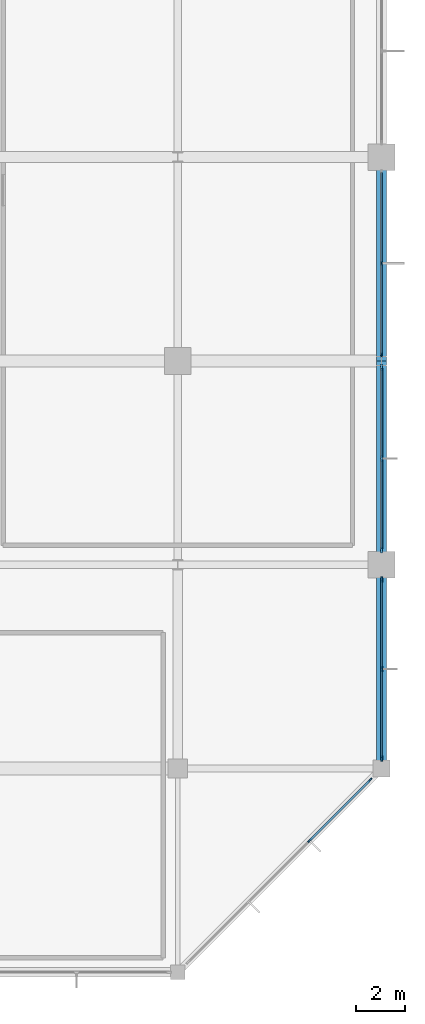
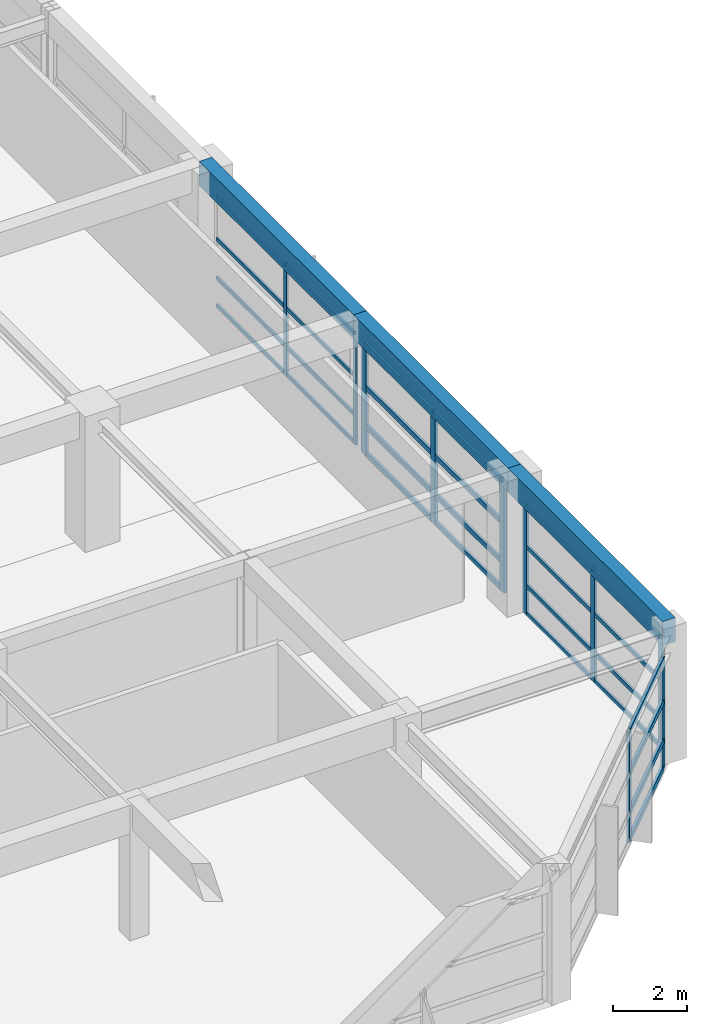
# One storey, part 30 of 56: 38 members, 3 beams, 4 elements without a shape of their own.
"""IFC4 building model written with IfcOpenShell, lengths in metres."""

from ifc_helpers import new_model, si_unit, direction, frame, origin, origin_2d, place, context, subcontext, project, spatial, rectangle, extrude, material, material_profile, profile_set, type_object, element, aggregate, save


model = new_model("IFC4")

# Units and contexts
model_context = context("Model", 3, precision=1e-05, world=origin(), true_north=direction((0.0, 1.0)))
body_context = subcontext(model_context, "Body", "Model", "MODEL_VIEW")
ifc_project = project(units=[si_unit("LENGTHUNIT", "METRE"), si_unit("AREAUNIT", "SQUARE_METRE"), si_unit("VOLUMEUNIT", "CUBIC_METRE"), si_unit("PLANEANGLEUNIT", "RADIAN"), si_unit("MASSUNIT", "GRAM", prefix="KILO")], contexts=[model_context])

# Site, building, storey
site_placement = place(None, origin())
site = spatial("IfcSite", under=ifc_project, at=site_placement, CompositionType="ELEMENT")
building_placement = place(site_placement, origin())
building = spatial("IfcBuilding", under=site, at=building_placement, Name="Xuanlan Plaza Opera House", CompositionType="ELEMENT")
storey_placement = place(building_placement, frame((0.0, 0.0, 18.89990234375)))
storey = spatial("IfcBuildingStorey", under=building, at=storey_placement, Name="L04", CompositionType="ELEMENT", Elevation=18.89990234375)

# Curtain wall, members
ifc_material_1 = material(Name="Anodised Aluminium 6063-T6 and Low-E Glass", Category="aluminium")
curtain_wall_type_1 = type_object("IfcCurtainWallType", Name="ENV-CW-CW-02", PredefinedType="USERDEFINED", material=ifc_material_1)
curtain_wall_1_placement = place(storey_placement, origin())
curtain_wall_1 = element("IfcCurtainWall", 1, at=curtain_wall_1_placement, inside=storey, type_object=curtain_wall_type_1, Name="Unitised Curtain Wall L04-020", ObjectType="UNITISED CURTAIN WALL", PredefinedType="USERDEFINED")
ifc_material_2 = material(Name="Anodised Aluminium 6063-T6", Category="aluminium")
ifc_material_profile_1 = material_profile(ifc_material_2, rectangle(XDim=0.06494140625, YDim=0.159912109375, at=origin_2d()), Name="ALU-M 65x160")
ifc_profile_set_1 = profile_set([ifc_material_profile_1], Name="Anodised Aluminium 6063-T6")
member_type_1 = type_object("IfcMemberType", Name="ENV-CWM-01", PredefinedType="MULLION", material=ifc_profile_set_1)
member_1_placement = place(storey_placement, frame((168.0, 42.25244140625, 0.0), z_axis=(0.0, 0.0, 1.0), x_axis=(-1.0, 0.0, 0.0)))
member_1 = element("IfcMember", 2, at=member_1_placement, type_object=member_type_1, Name="CW-02 mullion 1", PredefinedType="MULLION", context=body_context, shape_type="SweptSolid", body=[
    extrude(rectangle(XDim=0.06494140625, YDim=0.159912109375, at=origin_2d()), origin(), (0.0, 0.0, 1.0), 3.68017578125),
])
member_2_placement = place(storey_placement, frame((168.0, 46.02490234375, 0.0), z_axis=(0.0, 0.0, 1.0), x_axis=(-1.0, 0.0, 0.0)))
member_2 = element("IfcMember", 3, at=member_2_placement, type_object=member_type_1, Name="CW-02 mullion 2", PredefinedType="MULLION", context=body_context, shape_type="SweptSolid", body=[
    extrude(rectangle(XDim=0.06494140625, YDim=0.159912109375, at=origin_2d()), origin(), (0.0, 0.0, 1.0), 3.68017578125),
])

curtain_wall_type_2 = type_object("IfcCurtainWallType", Name="ENV-CW-CW-03", PredefinedType="USERDEFINED", material=ifc_material_1)
curtain_wall_2_placement = place(storey_placement, origin())
curtain_wall_2 = element("IfcCurtainWall", 4, at=curtain_wall_2_placement, inside=storey, type_object=curtain_wall_type_2, Name="Unitised Curtain Wall L04-017", ObjectType="UNITISED CURTAIN WALL", PredefinedType="USERDEFINED")
ifc_material_profile_2 = material_profile(ifc_material_2, rectangle(XDim=0.074951171875, YDim=0.199951171875, at=origin_2d()), Name="ALU-M 75x200")
ifc_profile_set_2 = profile_set([ifc_material_profile_2], Name="Anodised Aluminium 6063-T6")
member_type_2 = type_object("IfcMemberType", Name="ENV-CWM-03", PredefinedType="MULLION", material=ifc_profile_set_2)
member_3_placement = place(storey_placement, frame((165.03369140625, 22.233642578125, 0.0), z_axis=(0.0, 0.0, 1.0), x_axis=(-0.707106781187, 0.707106781187, 0.0)))
member_3 = element("IfcMember", 5, at=member_3_placement, type_object=member_type_2, Name="CW-03 mullion 3", PredefinedType="MULLION", context=body_context, shape_type="SweptSolid", body=[
    extrude(rectangle(XDim=0.074951171875, YDim=0.199951171875, at=origin_2d()), origin(), (0.0, 0.0, 1.0), 3.68017578125),
])
member_4_placement = place(storey_placement, frame((167.5244140625, 24.724365234375, 0.0), z_axis=(0.0, 0.0, 1.0), x_axis=(-0.707106781187, 0.707106781187, 0.0)))
member_4 = element("IfcMember", 6, at=member_4_placement, type_object=member_type_2, Name="CW-03 mullion 4", PredefinedType="MULLION", context=body_context, shape_type="SweptSolid", body=[
    extrude(rectangle(XDim=0.074951171875, YDim=0.199951171875, at=origin_2d()), origin(), (0.0, 0.0, 1.0), 3.68017578125),
])

curtain_wall_type_3 = type_object("IfcCurtainWallType", Name="ENV-CW-CW-04", PredefinedType="USERDEFINED", material=ifc_material_1)
curtain_wall_3_placement = place(storey_placement, origin())
curtain_wall_3 = element("IfcCurtainWall", 7, at=curtain_wall_3_placement, inside=storey, type_object=curtain_wall_type_3, Name="Unitised Curtain Wall L04-018", ObjectType="UNITISED CURTAIN WALL", PredefinedType="USERDEFINED")
ifc_material_profile_3 = material_profile(ifc_material_2, rectangle(XDim=0.080078125, YDim=0.219970703125, at=origin_2d()), Name="ALU-M 80x220")
ifc_profile_set_3 = profile_set([ifc_material_profile_3], Name="Anodised Aluminium 6063-T6")
member_type_3 = type_object("IfcMemberType", Name="ENV-CWM-04", PredefinedType="MULLION", material=ifc_profile_set_3)
member_5_placement = place(storey_placement, frame((168.0, 25.610107421875, 0.0), z_axis=(0.0, 0.0, 1.0), x_axis=(-1.0, 0.0, 0.0)))
member_5 = element("IfcMember", 8, at=member_5_placement, type_object=member_type_3, Name="CW-04 mullion 1", PredefinedType="MULLION", context=body_context, shape_type="SweptSolid", body=[
    extrude(rectangle(XDim=0.080078125, YDim=0.219970703125, at=origin_2d()), origin(), (0.0, 0.0, 1.0), 3.68017578125),
])
member_6_placement = place(storey_placement, frame((168.0, 29.300048828125, 0.0), z_axis=(0.0, 0.0, 1.0), x_axis=(-1.0, 0.0, 0.0)))
member_6 = element("IfcMember", 9, at=member_6_placement, type_object=member_type_3, Name="CW-04 mullion 2", PredefinedType="MULLION", context=body_context, shape_type="SweptSolid", body=[
    extrude(rectangle(XDim=0.080078125, YDim=0.219970703125, at=origin_2d()), origin(), (0.0, 0.0, 1.0), 3.68017578125),
])
member_7_placement = place(storey_placement, frame((168.0, 32.989990234375, 0.0), z_axis=(0.0, 0.0, 1.0), x_axis=(-1.0, 0.0, 0.0)))
member_7 = element("IfcMember", 10, at=member_7_placement, type_object=member_type_3, Name="CW-04 mullion 3", PredefinedType="MULLION", context=body_context, shape_type="SweptSolid", body=[
    extrude(rectangle(XDim=0.080078125, YDim=0.219970703125, at=origin_2d()), origin(), (0.0, 0.0, 1.0), 3.68017578125),
])

curtain_wall_type_4 = type_object("IfcCurtainWallType", Name="ENV-CW-CW-01", PredefinedType="USERDEFINED", material=ifc_material_1)
curtain_wall_4_placement = place(storey_placement, origin())
curtain_wall_4 = element("IfcCurtainWall", 11, at=curtain_wall_4_placement, inside=storey, type_object=curtain_wall_type_4, Name="Unitised Curtain Wall L04-019", ObjectType="UNITISED CURTAIN WALL", PredefinedType="USERDEFINED")
ifc_material_profile_4 = material_profile(ifc_material_2, rectangle(XDim=0.090087890625, YDim=0.25, at=origin_2d()), Name="ALU-M 90x250")
ifc_profile_set_4 = profile_set([ifc_material_profile_4], Name="Anodised Aluminium 6063-T6")
member_type_4 = type_object("IfcMemberType", Name="ENV-CWM-05", PredefinedType="MULLION", material=ifc_profile_set_4)
member_8_placement = place(storey_placement, frame((168.0, 34.215087890625, 0.0), z_axis=(0.0, 0.0, 1.0), x_axis=(-1.0, 0.0, 0.0)))
member_8 = element("IfcMember", 12, at=member_8_placement, type_object=member_type_4, Name="CW-01 mullion 1", PredefinedType="MULLION", context=body_context, shape_type="SweptSolid", body=[
    extrude(rectangle(XDim=0.090087890625, YDim=0.25, at=origin_2d()), origin(), (0.0, 0.0, 1.0), 3.68017578125),
])
member_9_placement = place(storey_placement, frame((168.0, 37.97509765625, 0.0), z_axis=(0.0, 0.0, 1.0), x_axis=(-1.0, 0.0, 0.0)))
member_9 = element("IfcMember", 13, at=member_9_placement, type_object=member_type_4, Name="CW-01 mullion 2", PredefinedType="MULLION", context=body_context, shape_type="SweptSolid", body=[
    extrude(rectangle(XDim=0.090087890625, YDim=0.25, at=origin_2d()), origin(), (0.0, 0.0, 1.0), 3.68017578125),
])
member_10_placement = place(storey_placement, frame((168.0, 41.735107421875, 0.0), z_axis=(0.0, 0.0, 1.0), x_axis=(-1.0, 0.0, 0.0)))
member_10 = element("IfcMember", 14, at=member_10_placement, type_object=member_type_4, Name="CW-01 mullion 3", PredefinedType="MULLION", context=body_context, shape_type="SweptSolid", body=[
    extrude(rectangle(XDim=0.090087890625, YDim=0.25, at=origin_2d()), origin(), (0.0, 0.0, 1.0), 3.68017578125),
])

# Member
ifc_material_profile_5 = material_profile(ifc_material_2, rectangle(XDim=0.06494140625, YDim=0.1201171875, at=origin_2d()), Name="ALU-T 65x120")
ifc_profile_set_5 = profile_set([ifc_material_profile_5], Name="Anodised Aluminium 6063-T6")
member_type_5 = type_object("IfcMemberType", Name="ENV-CWT-01", PredefinedType="USERDEFINED", material=ifc_profile_set_5)
member_11_placement = place(storey_placement, frame((168.0, 42.284912109375, 0.03271484375), z_axis=(0.0, 1.0, 0.0), x_axis=(-1.0, 0.0, 0.0)))
member_11 = element("IfcMember", 15, at=member_11_placement, type_object=member_type_5, Name="CW-02 transom 1.1", ObjectType="TRANSOM", PredefinedType="USERDEFINED", context=body_context, shape_type="SweptSolid", body=[
    extrude(rectangle(XDim=0.06494140625, YDim=0.1201171875, at=origin_2d()), origin(), (0.0, 0.0, 1.0), 3.70751953125),
])

member_12_placement = place(storey_placement, frame((168.0, 42.284912109375, 0.9501953125), z_axis=(0.0, 1.0, 0.0), x_axis=(-1.0, 0.0, 0.0)))
member_12 = element("IfcMember", 16, at=member_12_placement, type_object=member_type_5, Name="CW-02 transom 1.2", ObjectType="TRANSOM", PredefinedType="USERDEFINED", context=body_context, shape_type="SweptSolid", body=[
    extrude(rectangle(XDim=0.06494140625, YDim=0.1201171875, at=origin_2d()), origin(), (0.0, 0.0, 1.0), 3.70751953125),
])

member_13_placement = place(storey_placement, frame((168.0, 42.284912109375, 2.25), z_axis=(0.0, 1.0, 0.0), x_axis=(-1.0, 0.0, 0.0)))
member_13 = element("IfcMember", 17, at=member_13_placement, type_object=member_type_5, Name="CW-02 transom 1.3", ObjectType="TRANSOM", PredefinedType="USERDEFINED", context=body_context, shape_type="SweptSolid", body=[
    extrude(rectangle(XDim=0.06494140625, YDim=0.1201171875, at=origin_2d()), origin(), (0.0, 0.0, 1.0), 3.70751953125),
])

member_14_placement = place(storey_placement, frame((168.0, 42.284912109375, 3.647705078125), z_axis=(0.0, 1.0, 0.0), x_axis=(-1.0, 0.0, 0.0)))
member_14 = element("IfcMember", 18, at=member_14_placement, type_object=member_type_5, Name="CW-02 transom 1.4", ObjectType="TRANSOM", PredefinedType="USERDEFINED", context=body_context, shape_type="SweptSolid", body=[
    extrude(rectangle(XDim=0.06494140625, YDim=0.1201171875, at=origin_2d()), origin(), (0.0, 0.0, 1.0), 3.70751953125),
])

member_15_placement = place(storey_placement, frame((168.0, 46.0576171875, 0.03271484375), z_axis=(0.0, 1.0, 0.0), x_axis=(-1.0, 0.0, 0.0)))
member_15 = element("IfcMember", 19, at=member_15_placement, type_object=member_type_5, Name="CW-02 transom 2.1", ObjectType="TRANSOM", PredefinedType="USERDEFINED", context=body_context, shape_type="SweptSolid", body=[
    extrude(rectangle(XDim=0.06494140625, YDim=0.1201171875, at=origin_2d()), origin(), (0.0, 0.0, 1.0), 3.707275390625),
])

member_16_placement = place(storey_placement, frame((168.0, 46.0576171875, 0.9501953125), z_axis=(0.0, 1.0, 0.0), x_axis=(-1.0, 0.0, 0.0)))
member_16 = element("IfcMember", 20, at=member_16_placement, type_object=member_type_5, Name="CW-02 transom 2.2", ObjectType="TRANSOM", PredefinedType="USERDEFINED", context=body_context, shape_type="SweptSolid", body=[
    extrude(rectangle(XDim=0.06494140625, YDim=0.1201171875, at=origin_2d()), origin(), (0.0, 0.0, 1.0), 3.707275390625),
])

member_17_placement = place(storey_placement, frame((168.0, 46.0576171875, 2.25), z_axis=(0.0, 1.0, 0.0), x_axis=(-1.0, 0.0, 0.0)))
member_17 = element("IfcMember", 21, at=member_17_placement, type_object=member_type_5, Name="CW-02 transom 2.3", ObjectType="TRANSOM", PredefinedType="USERDEFINED", context=body_context, shape_type="SweptSolid", body=[
    extrude(rectangle(XDim=0.06494140625, YDim=0.1201171875, at=origin_2d()), origin(), (0.0, 0.0, 1.0), 3.707275390625),
])

member_18_placement = place(storey_placement, frame((168.0, 46.0576171875, 3.647705078125), z_axis=(0.0, 1.0, 0.0), x_axis=(-1.0, 0.0, 0.0)))
member_18 = element("IfcMember", 22, at=member_18_placement, type_object=member_type_5, Name="CW-02 transom 2.4", ObjectType="TRANSOM", PredefinedType="USERDEFINED", context=body_context, shape_type="SweptSolid", body=[
    extrude(rectangle(XDim=0.06494140625, YDim=0.1201171875, at=origin_2d()), origin(), (0.0, 0.0, 1.0), 3.707275390625),
])

aggregate(curtain_wall_1, [member_1, member_2, member_11, member_12, member_13, member_14, member_15, member_16, member_17, member_18])

ifc_material_profile_6 = material_profile(ifc_material_2, rectangle(XDim=0.070068359375, YDim=0.135009765625, at=origin_2d()), Name="ALU-T 70x135")
ifc_profile_set_6 = profile_set([ifc_material_profile_6], Name="Anodised Aluminium 6063-T6")
member_type_6 = type_object("IfcMemberType", Name="ENV-CWT-02", PredefinedType="USERDEFINED", material=ifc_profile_set_6)
member_19_placement = place(storey_placement, frame((168.0, 25.64990234375, 0.03515625), z_axis=(0.0, 1.0, 0.0), x_axis=(-1.0, 0.0, 0.0)))
member_19 = element("IfcMember", 23, at=member_19_placement, type_object=member_type_6, Name="CW-04 transom 1.1", ObjectType="TRANSOM", PredefinedType="USERDEFINED", context=body_context, shape_type="SweptSolid", body=[
    extrude(rectangle(XDim=0.070068359375, YDim=0.135009765625, at=origin_2d()), origin(), (0.0, 0.0, 1.0), 3.610107421875),
])

member_20_placement = place(storey_placement, frame((168.0, 25.64990234375, 0.9501953125), z_axis=(0.0, 1.0, 0.0), x_axis=(-1.0, 0.0, 0.0)))
member_20 = element("IfcMember", 24, at=member_20_placement, type_object=member_type_6, Name="CW-04 transom 1.2", ObjectType="TRANSOM", PredefinedType="USERDEFINED", context=body_context, shape_type="SweptSolid", body=[
    extrude(rectangle(XDim=0.070068359375, YDim=0.135009765625, at=origin_2d()), origin(), (0.0, 0.0, 1.0), 3.610107421875),
])

member_21_placement = place(storey_placement, frame((168.0, 25.64990234375, 2.25), z_axis=(0.0, 1.0, 0.0), x_axis=(-1.0, 0.0, 0.0)))
member_21 = element("IfcMember", 25, at=member_21_placement, type_object=member_type_6, Name="CW-04 transom 1.3", ObjectType="TRANSOM", PredefinedType="USERDEFINED", context=body_context, shape_type="SweptSolid", body=[
    extrude(rectangle(XDim=0.070068359375, YDim=0.135009765625, at=origin_2d()), origin(), (0.0, 0.0, 1.0), 3.610107421875),
])

member_22_placement = place(storey_placement, frame((168.0, 25.64990234375, 3.64501953125), z_axis=(0.0, 1.0, 0.0), x_axis=(-1.0, 0.0, 0.0)))
member_22 = element("IfcMember", 26, at=member_22_placement, type_object=member_type_6, Name="CW-04 transom 1.4", ObjectType="TRANSOM", PredefinedType="USERDEFINED", context=body_context, shape_type="SweptSolid", body=[
    extrude(rectangle(XDim=0.070068359375, YDim=0.135009765625, at=origin_2d()), origin(), (0.0, 0.0, 1.0), 3.610107421875),
])

member_23_placement = place(storey_placement, frame((168.0, 29.340087890625, 0.03515625), z_axis=(0.0, 1.0, 0.0), x_axis=(-1.0, 0.0, 0.0)))
member_23 = element("IfcMember", 27, at=member_23_placement, type_object=member_type_6, Name="CW-04 transom 2.1", ObjectType="TRANSOM", PredefinedType="USERDEFINED", context=body_context, shape_type="SweptSolid", body=[
    extrude(rectangle(XDim=0.070068359375, YDim=0.135009765625, at=origin_2d()), origin(), (0.0, 0.0, 1.0), 3.60986328125),
])

member_24_placement = place(storey_placement, frame((168.0, 29.340087890625, 0.9501953125), z_axis=(0.0, 1.0, 0.0), x_axis=(-1.0, 0.0, 0.0)))
member_24 = element("IfcMember", 28, at=member_24_placement, type_object=member_type_6, Name="CW-04 transom 2.2", ObjectType="TRANSOM", PredefinedType="USERDEFINED", context=body_context, shape_type="SweptSolid", body=[
    extrude(rectangle(XDim=0.070068359375, YDim=0.135009765625, at=origin_2d()), origin(), (0.0, 0.0, 1.0), 3.60986328125),
])

member_25_placement = place(storey_placement, frame((168.0, 29.340087890625, 2.25), z_axis=(0.0, 1.0, 0.0), x_axis=(-1.0, 0.0, 0.0)))
member_25 = element("IfcMember", 29, at=member_25_placement, type_object=member_type_6, Name="CW-04 transom 2.3", ObjectType="TRANSOM", PredefinedType="USERDEFINED", context=body_context, shape_type="SweptSolid", body=[
    extrude(rectangle(XDim=0.070068359375, YDim=0.135009765625, at=origin_2d()), origin(), (0.0, 0.0, 1.0), 3.60986328125),
])

member_26_placement = place(storey_placement, frame((168.0, 29.340087890625, 3.64501953125), z_axis=(0.0, 1.0, 0.0), x_axis=(-1.0, 0.0, 0.0)))
member_26 = element("IfcMember", 30, at=member_26_placement, type_object=member_type_6, Name="CW-04 transom 2.4", ObjectType="TRANSOM", PredefinedType="USERDEFINED", context=body_context, shape_type="SweptSolid", body=[
    extrude(rectangle(XDim=0.070068359375, YDim=0.135009765625, at=origin_2d()), origin(), (0.0, 0.0, 1.0), 3.60986328125),
])

aggregate(curtain_wall_3, [member_5, member_6, member_7, member_19, member_20, member_21, member_22, member_23, member_24, member_25, member_26])

ifc_material_profile_7 = material_profile(ifc_material_2, rectangle(XDim=0.080078125, YDim=0.1650390625, at=origin_2d()), Name="ALU-T 80x165")
ifc_profile_set_7 = profile_set([ifc_material_profile_7], Name="Anodised Aluminium 6063-T6")
member_type_7 = type_object("IfcMemberType", Name="ENV-CWT-04", PredefinedType="USERDEFINED", material=ifc_profile_set_7)
member_27_placement = place(storey_placement, frame((168.0, 34.260009765625, 0.0400390625), z_axis=(0.0, 1.0, 0.0), x_axis=(-1.0, 0.0, 0.0)))
member_27 = element("IfcMember", 31, at=member_27_placement, type_object=member_type_7, Name="CW-01 transom 1.1", ObjectType="TRANSOM", PredefinedType="USERDEFINED", context=body_context, shape_type="SweptSolid", body=[
    extrude(rectangle(XDim=0.080078125, YDim=0.1650390625, at=origin_2d()), origin(), (0.0, 0.0, 1.0), 3.669921875),
])

member_28_placement = place(storey_placement, frame((168.0, 34.260009765625, 0.9501953125), z_axis=(0.0, 1.0, 0.0), x_axis=(-1.0, 0.0, 0.0)))
member_28 = element("IfcMember", 32, at=member_28_placement, type_object=member_type_7, Name="CW-01 transom 1.2", ObjectType="TRANSOM", PredefinedType="USERDEFINED", context=body_context, shape_type="SweptSolid", body=[
    extrude(rectangle(XDim=0.080078125, YDim=0.1650390625, at=origin_2d()), origin(), (0.0, 0.0, 1.0), 3.669921875),
])

member_29_placement = place(storey_placement, frame((168.0, 34.260009765625, 2.25), z_axis=(0.0, 1.0, 0.0), x_axis=(-1.0, 0.0, 0.0)))
member_29 = element("IfcMember", 33, at=member_29_placement, type_object=member_type_7, Name="CW-01 transom 1.3", ObjectType="TRANSOM", PredefinedType="USERDEFINED", context=body_context, shape_type="SweptSolid", body=[
    extrude(rectangle(XDim=0.080078125, YDim=0.1650390625, at=origin_2d()), origin(), (0.0, 0.0, 1.0), 3.669921875),
])

member_30_placement = place(storey_placement, frame((168.0, 34.260009765625, 3.64013671875), z_axis=(0.0, 1.0, 0.0), x_axis=(-1.0, 0.0, 0.0)))
member_30 = element("IfcMember", 34, at=member_30_placement, type_object=member_type_7, Name="CW-01 transom 1.4", ObjectType="TRANSOM", PredefinedType="USERDEFINED", context=body_context, shape_type="SweptSolid", body=[
    extrude(rectangle(XDim=0.080078125, YDim=0.1650390625, at=origin_2d()), origin(), (0.0, 0.0, 1.0), 3.669921875),
])

member_31_placement = place(storey_placement, frame((168.0, 38.02001953125, 0.0400390625), z_axis=(0.0, 1.0, 0.0), x_axis=(-1.0, 0.0, 0.0)))
member_31 = element("IfcMember", 35, at=member_31_placement, type_object=member_type_7, Name="CW-01 transom 2.1", ObjectType="TRANSOM", PredefinedType="USERDEFINED", context=body_context, shape_type="SweptSolid", body=[
    extrude(rectangle(XDim=0.080078125, YDim=0.1650390625, at=origin_2d()), origin(), (0.0, 0.0, 1.0), 3.669921875),
])

member_32_placement = place(storey_placement, frame((168.0, 38.02001953125, 0.9501953125), z_axis=(0.0, 1.0, 0.0), x_axis=(-1.0, 0.0, 0.0)))
member_32 = element("IfcMember", 36, at=member_32_placement, type_object=member_type_7, Name="CW-01 transom 2.2", ObjectType="TRANSOM", PredefinedType="USERDEFINED", context=body_context, shape_type="SweptSolid", body=[
    extrude(rectangle(XDim=0.080078125, YDim=0.1650390625, at=origin_2d()), origin(), (0.0, 0.0, 1.0), 3.669921875),
])

member_33_placement = place(storey_placement, frame((168.0, 38.02001953125, 2.25), z_axis=(0.0, 1.0, 0.0), x_axis=(-1.0, 0.0, 0.0)))
member_33 = element("IfcMember", 37, at=member_33_placement, type_object=member_type_7, Name="CW-01 transom 2.3", ObjectType="TRANSOM", PredefinedType="USERDEFINED", context=body_context, shape_type="SweptSolid", body=[
    extrude(rectangle(XDim=0.080078125, YDim=0.1650390625, at=origin_2d()), origin(), (0.0, 0.0, 1.0), 3.669921875),
])

member_34_placement = place(storey_placement, frame((168.0, 38.02001953125, 3.64013671875), z_axis=(0.0, 1.0, 0.0), x_axis=(-1.0, 0.0, 0.0)))
member_34 = element("IfcMember", 38, at=member_34_placement, type_object=member_type_7, Name="CW-01 transom 2.4", ObjectType="TRANSOM", PredefinedType="USERDEFINED", context=body_context, shape_type="SweptSolid", body=[
    extrude(rectangle(XDim=0.080078125, YDim=0.1650390625, at=origin_2d()), origin(), (0.0, 0.0, 1.0), 3.669921875),
])

aggregate(curtain_wall_4, [member_8, member_9, member_10, member_27, member_28, member_29, member_30, member_31, member_32, member_33, member_34])

ifc_material_profile_8 = material_profile(ifc_material_2, rectangle(XDim=0.090087890625, YDim=0.179931640625, at=origin_2d()), Name="ALU-T 90x180")
ifc_profile_set_8 = profile_set([ifc_material_profile_8], Name="Anodised Aluminium 6063-T6")
member_type_8 = type_object("IfcMemberType", Name="ENV-CWT-05", PredefinedType="USERDEFINED", material=ifc_profile_set_8)
member_35_placement = place(storey_placement, frame((165.060302734375, 22.26025390625, 0.045166015625), z_axis=(0.707106781187, 0.707106781187, 0.0), x_axis=(-0.707106781187, 0.707106781187, 0.0)))
member_35 = element("IfcMember", 39, at=member_35_placement, type_object=member_type_8, Name="CW-03 transom 3.1", ObjectType="TRANSOM", PredefinedType="USERDEFINED", context=body_context, shape_type="SweptSolid", body=[
    extrude(rectangle(XDim=0.090087890625, YDim=0.179931640625, at=origin_2d()), origin(), (0.0, 0.0, 1.0), 3.447509765625),
])

member_36_placement = place(storey_placement, frame((165.060302734375, 22.26025390625, 0.9501953125), z_axis=(0.707106781187, 0.707106781187, 0.0), x_axis=(-0.707106781187, 0.707106781187, 0.0)))
member_36 = element("IfcMember", 40, at=member_36_placement, type_object=member_type_8, Name="CW-03 transom 3.2", ObjectType="TRANSOM", PredefinedType="USERDEFINED", context=body_context, shape_type="SweptSolid", body=[
    extrude(rectangle(XDim=0.090087890625, YDim=0.179931640625, at=origin_2d()), origin(), (0.0, 0.0, 1.0), 3.447509765625),
])

member_37_placement = place(storey_placement, frame((165.060302734375, 22.26025390625, 2.25), z_axis=(0.707106781187, 0.707106781187, 0.0), x_axis=(-0.707106781187, 0.707106781187, 0.0)))
member_37 = element("IfcMember", 41, at=member_37_placement, type_object=member_type_8, Name="CW-03 transom 3.3", ObjectType="TRANSOM", PredefinedType="USERDEFINED", context=body_context, shape_type="SweptSolid", body=[
    extrude(rectangle(XDim=0.090087890625, YDim=0.179931640625, at=origin_2d()), origin(), (0.0, 0.0, 1.0), 3.447509765625),
])

member_38_placement = place(storey_placement, frame((165.060302734375, 22.26025390625, 3.635009765625), z_axis=(0.707106781187, 0.707106781187, 0.0), x_axis=(-0.707106781187, 0.707106781187, 0.0)))
member_38 = element("IfcMember", 42, at=member_38_placement, type_object=member_type_8, Name="CW-03 transom 3.4", ObjectType="TRANSOM", PredefinedType="USERDEFINED", context=body_context, shape_type="SweptSolid", body=[
    extrude(rectangle(XDim=0.090087890625, YDim=0.179931640625, at=origin_2d()), origin(), (0.0, 0.0, 1.0), 3.447509765625),
])

aggregate(curtain_wall_2, [member_3, member_4, member_35, member_36, member_37, member_38])

# Beams
ifc_material_3 = material(Name="Concrete C40", Category="concrete")
ifc_material_profile_9 = material_profile(ifc_material_3, rectangle(XDim=0.39990234375, YDim=0.800048828125, at=origin_2d()), Name="RC-SPD 400x800")
ifc_profile_set_9 = profile_set([ifc_material_profile_9], Name="Concrete C40")
beam_type = type_object("IfcBeamType", Name="STR-BM-SP-01", PredefinedType="SPANDREL", material=ifc_profile_set_9)
beam_placement = place(storey_placement, frame((168.0, 25.199951171875, 4.10009765625), z_axis=(0.0, 1.0, 0.0), x_axis=(-1.0, 0.0, 0.0)))
element("IfcBeam", 43, at=beam_placement, inside=storey, type_object=beam_type, Name="Grid Beam Y L04 21/D-E", PredefinedType="SPANDREL", context=body_context, shape_type="SweptSolid", body=[
    extrude(rectangle(XDim=0.39990234375, YDim=0.800048828125, at=origin_2d()), origin(), (0.0, 0.0, 1.0), 8.400146484375),
])
for number, where, z_axis, x_axis, name in (
    (44, (168.0, 33.60009765625, 4.10009765625), (0.0, 1.0, 0.0), (-1.0, 0.0, 0.0), "Grid Beam Y L04 21/E-F"),
    (45, (168.0, 42.0, 4.10009765625), (0.0, 1.0, 0.0), (-1.0, 0.0, 0.0), "Grid Beam Y L04 21/F-G"),
):
    element("IfcBeam", number, at=place(storey_placement, frame(where, z_axis=z_axis, x_axis=x_axis)), inside=storey, type_object=beam_type, Name=name, PredefinedType="SPANDREL", context=body_context, shape_type="SweptSolid", body=[
        extrude(rectangle(XDim=0.39990234375, YDim=0.800048828125, at=origin_2d()), origin(), (0.0, 0.0, 1.0), 8.39990234375),
    ])

save(model, "model.ifc")
